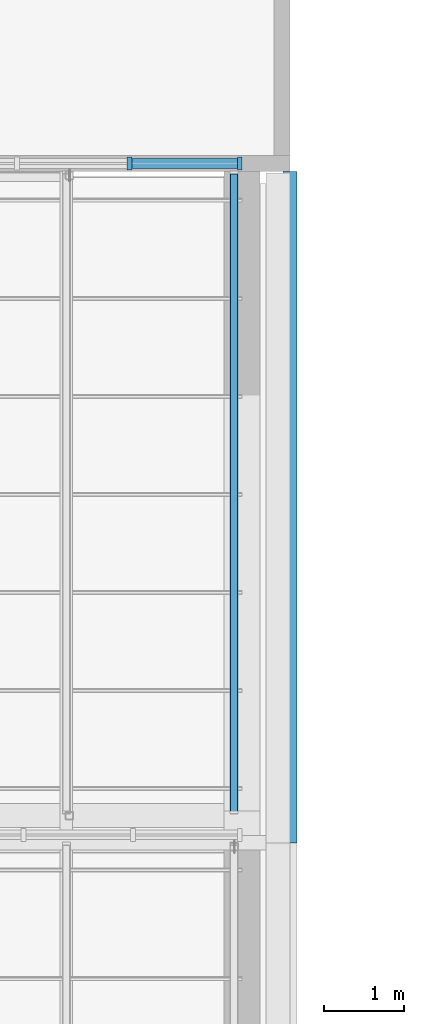
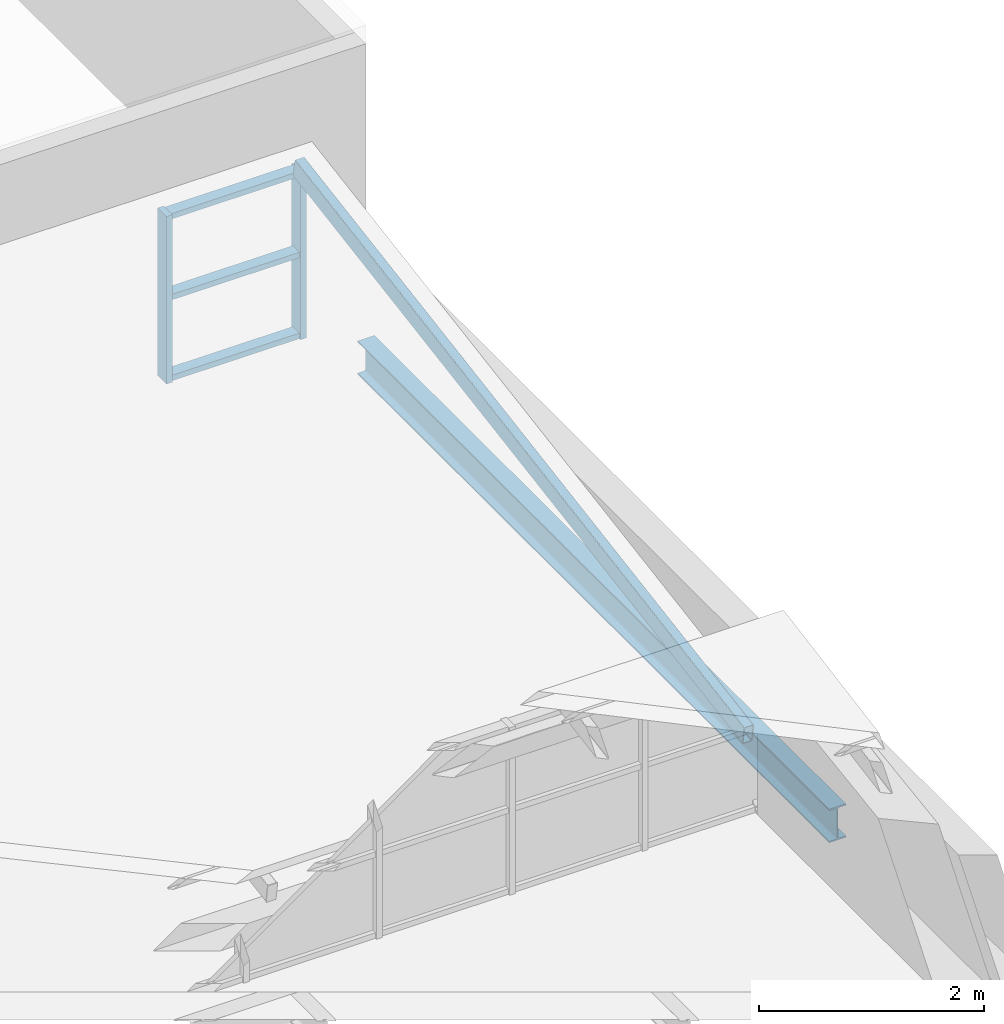
# One storey, part 18 of 42: 6 members, 1 beam, 1 element without a shape of its own.
"""IFC4 building model written with IfcOpenShell, lengths in metres."""

from ifc_helpers import new_model, si_unit, direction, frame, origin, origin_2d, place, context, subcontext, project, spatial, rectangle, hollow_rectangle, i_section, extrude, material, layer, layer_set, material_profile, profile_set, type_object, element, aggregate, save


model = new_model("IFC4")

# Units and contexts
model_context = context("Model", 3, precision=1e-05, world=origin(), true_north=direction((0.0, 1.0)))
body_context = subcontext(model_context, "Body", "Model", "MODEL_VIEW")
ifc_project = project(units=[si_unit("LENGTHUNIT", "METRE"), si_unit("AREAUNIT", "SQUARE_METRE"), si_unit("VOLUMEUNIT", "CUBIC_METRE"), si_unit("PLANEANGLEUNIT", "RADIAN"), si_unit("MASSUNIT", "GRAM", prefix="KILO")], contexts=[model_context])

# Site, building, storey
site_placement = place(None, origin())
site = spatial("IfcSite", under=ifc_project, at=site_placement, CompositionType="ELEMENT")
building_placement = place(site_placement, origin())
building = spatial("IfcBuilding", under=site, at=building_placement, Name="Ardhachandra Cancer Care Centre", CompositionType="ELEMENT")
storey_placement = place(building_placement, frame((0.0, 0.0, 22.5)))
storey = spatial("IfcBuildingStorey", under=building, at=storey_placement, Name="L05", CompositionType="ELEMENT", Elevation=22.5)

# Beam
ifc_material_1 = material(Name="Steel E350 (IS 2062)", Category="steel")
ifc_material_profile_1 = material_profile(ifc_material_1, i_section(OverallWidth=0.172119140625, OverallDepth=0.364013671875, WebThickness=0.00927734375, FlangeThickness=0.0146484375, FilletRadius=0.01806640625, at=origin_2d()), Name="NPB 350x170x66.04")
ifc_profile_set_1 = profile_set([ifc_material_profile_1], Name="Steel E350 (IS 2062)")
beam_type = type_object("IfcBeamType", Name="Beam NPB 350x170x66.04", PredefinedType="BEAM", material=ifc_profile_set_1)
beam_placement = place(storey_placement, frame((44.39990234375, 79.800048828125, -0.382080078125), z_axis=(0.0, 1.0, 0.0), x_axis=(-1.0, 0.0, 0.0)))
element("IfcBeam", 1, at=beam_placement, inside=storey, type_object=beam_type, Name="Edge girder J5-K5", PredefinedType="BEAM", context=body_context, shape_type="SweptSolid", body=[
    extrude(i_section(OverallWidth=0.172119140625, OverallDepth=0.364013671875, WebThickness=0.00927734375, FlangeThickness=0.0146484375, FilletRadius=0.01806640625, at=origin_2d()), origin(), (0.0, 0.0, 1.0), 8.39990234375),
])

# Curtain wall, members
ifc_material_2 = material(Name="Aluminium extrusion", Category="aluminium")
ifc_layer = layer(ifc_material_2, 0.14990234375)
ifc_layer_set = layer_set([ifc_layer], Name="Aluminium extrusion")
curtain_wall_type = type_object("IfcCurtainWallType", Name="Curtain wall run", PredefinedType="NOTDEFINED", material=ifc_layer_set)
curtain_wall_placement = place(storey_placement, origin())
curtain_wall = element("IfcCurtainWall", 2, at=curtain_wall_placement, inside=storey, type_object=curtain_wall_type, Name="Curtain wall L05 n/0011400_0088300", PredefinedType="NOTDEFINED")
ifc_material_3 = material(Name="Aluminium extrusion", Category="aluminium")
ifc_material_profile_2 = material_profile(ifc_material_3, rectangle(XDim=0.159912109375, YDim=0.06005859375, at=origin_2d()), Name="Curtain wall mullion 60 x 160")
ifc_profile_set_2 = profile_set([ifc_material_profile_2], Name="Aluminium extrusion")
member_type_1 = type_object("IfcMemberType", Name="Curtain wall mullion 60 x 160", PredefinedType="MULLION", material=ifc_profile_set_2)
member_1_placement = place(storey_placement, frame((42.391357421875, 88.300048828125, 0.0), z_axis=(0.0, 0.0, 1.0), x_axis=(0.0, 1.0, 0.0)))
member_1 = element("IfcMember", 3, at=member_1_placement, type_object=member_type_1, Name="CW mullion 23", PredefinedType="MULLION", context=body_context, shape_type="SweptSolid", body=[
    extrude(rectangle(XDim=0.159912109375, YDim=0.06005859375, at=origin_2d()), origin(), (0.0, 0.0, 1.0), 1.820068359375),
])
member_2_placement = place(storey_placement, frame((43.77001953125, 88.300048828125, 0.0), z_axis=(0.0, 0.0, 1.0), x_axis=(0.0, 1.0, 0.0)))
member_2 = element("IfcMember", 4, at=member_2_placement, type_object=member_type_1, Name="CW mullion 24", PredefinedType="MULLION", context=body_context, shape_type="SweptSolid", body=[
    extrude(rectangle(XDim=0.159912109375, YDim=0.06005859375, at=origin_2d()), origin(), (0.0, 0.0, 1.0), 1.820068359375),
])
ifc_material_4 = material(Name="Aluminium extrusion", Category="aluminium")
ifc_material_profile_3 = material_profile(ifc_material_4, rectangle(XDim=0.1201171875, YDim=0.06005859375, at=origin_2d()), Name="Curtain wall transom 60 x 120")
ifc_profile_set_3 = profile_set([ifc_material_profile_3], Name="Aluminium extrusion")
member_type_2 = type_object("IfcMemberType", Name="Curtain wall transom 60 x 120", PredefinedType="USERDEFINED", material=ifc_profile_set_3)
member_3_placement = place(storey_placement, frame((42.42138671875, 88.300048828125, 0.030029296875), z_axis=(1.0, 0.0, 0.0), x_axis=(0.0, 1.0, 0.0)))
member_3 = element("IfcMember", 5, at=member_3_placement, type_object=member_type_2, Name="CW transom 23.1", ObjectType="TRANSOM", PredefinedType="USERDEFINED", context=body_context, shape_type="SweptSolid", body=[
    extrude(rectangle(XDim=0.1201171875, YDim=0.06005859375, at=origin_2d()), origin(), (0.0, 0.0, 1.0), 1.318603515625),
])
member_4_placement = place(storey_placement, frame((42.42138671875, 88.300048828125, 0.909912109375), z_axis=(1.0, 0.0, 0.0), x_axis=(0.0, 1.0, 0.0)))
member_4 = element("IfcMember", 6, at=member_4_placement, type_object=member_type_2, Name="CW transom 23.2", ObjectType="TRANSOM", PredefinedType="USERDEFINED", context=body_context, shape_type="SweptSolid", body=[
    extrude(rectangle(XDim=0.1201171875, YDim=0.06005859375, at=origin_2d()), origin(), (0.0, 0.0, 1.0), 1.318603515625),
])
member_5_placement = place(storey_placement, frame((42.42138671875, 88.300048828125, 1.7900390625), z_axis=(1.0, 0.0, 0.0), x_axis=(0.0, 1.0, 0.0)))
member_5 = element("IfcMember", 7, at=member_5_placement, type_object=member_type_2, Name="CW transom 23.3", ObjectType="TRANSOM", PredefinedType="USERDEFINED", context=body_context, shape_type="SweptSolid", body=[
    extrude(rectangle(XDim=0.1201171875, YDim=0.06005859375, at=origin_2d()), origin(), (0.0, 0.0, 1.0), 1.318603515625),
])
aggregate(curtain_wall, [member_1, member_2, member_3, member_4, member_5])

# Member
ifc_material_5 = material(Name="Steel E350 (IS 2062)", Category="steel")
ifc_material_profile_4 = material_profile(ifc_material_5, hollow_rectangle(XDim=0.10009765625, YDim=0.199951171875, WallThickness=0.006103515625, InnerFilletRadius=0.006103515625, OuterFilletRadius=0.011962890625, at=origin_2d()), Name="RHS 200x100x6.0")
ifc_profile_set_4 = profile_set([ifc_material_profile_4], Name="Steel E350 (IS 2062)")
member_type_3 = type_object("IfcMemberType", Name="Roof rafter RHS 200x100x6.0", PredefinedType="RAFTER", material=ifc_profile_set_4)
member_6_placement = place(storey_placement, frame((43.699951171875, 80.183837890625, 0.5986328125), z_axis=(0.0, 0.986657936602, 0.162806990454), x_axis=(-1.0, 0.0, 0.0)))
element("IfcMember", 8, at=member_6_placement, inside=storey, type_object=member_type_3, Name="Rafter NT2a.13", PredefinedType="RAFTER", context=body_context, shape_type="SweptSolid", body=[
    extrude(hollow_rectangle(XDim=0.10009765625, YDim=0.199951171875, WallThickness=0.006103515625, InnerFilletRadius=0.006103515625, OuterFilletRadius=0.011962890625, at=origin_2d()), origin(), (0.0, 0.0, 1.0), 8.108154296875),
])

save(model, "model.ifc")
